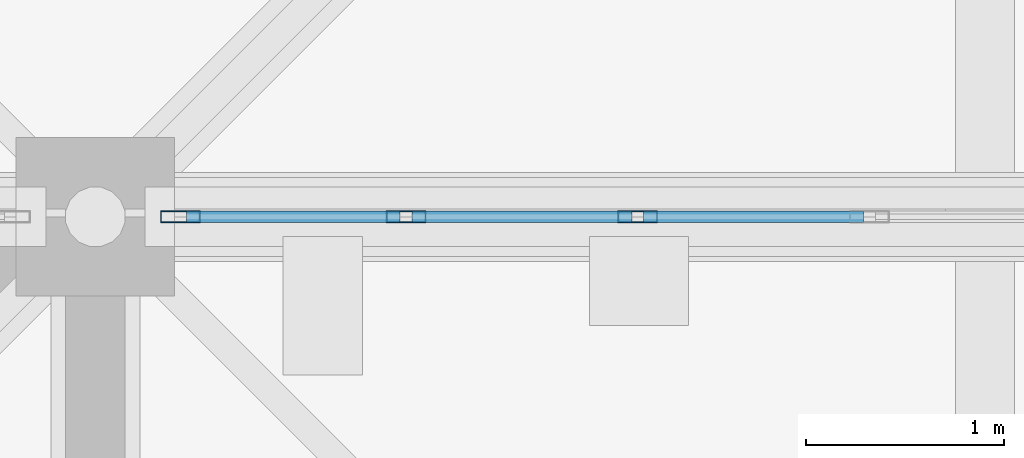
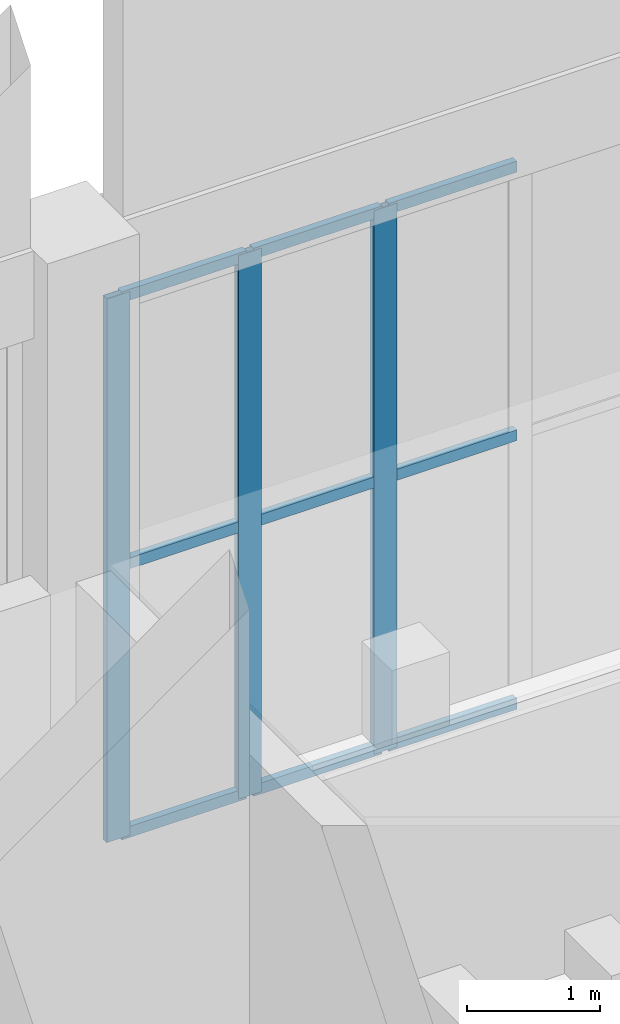
# One storey, part 109 of 437: 12 members, 1 element without a shape of its own.
"""IFC4 building model written with IfcOpenShell, lengths in metres."""

from ifc_helpers import new_model, si_unit, direction, frame, origin, origin_2d, place, context, subcontext, project, spatial, hollow_rectangle, extrude, material, layer, layer_set, material_profile, profile_set, type_object, element, aggregate, save


model = new_model("IFC4")

# Units and contexts
model_context = context("Model", 3, precision=1e-05, world=origin(), true_north=direction((0.0, 1.0)))
body_context = subcontext(model_context, "Body", "Model", "MODEL_VIEW")
ifc_project = project(units=[si_unit("LENGTHUNIT", "METRE"), si_unit("AREAUNIT", "SQUARE_METRE"), si_unit("VOLUMEUNIT", "CUBIC_METRE"), si_unit("PLANEANGLEUNIT", "RADIAN"), si_unit("MASSUNIT", "GRAM", prefix="KILO")], contexts=[model_context])

# Site, building, storey
site_placement = place(None, origin())
site = spatial("IfcSite", under=ifc_project, at=site_placement, CompositionType="ELEMENT")
building_placement = place(site_placement, origin())
building = spatial("IfcBuilding", under=site, at=building_placement, Name="Opaline Strait Convention Centre", CompositionType="ELEMENT")
storey_placement = place(building_placement, frame((0.0, 0.0, 11.5)))
storey = spatial("IfcBuildingStorey", under=building, at=storey_placement, Name="L02", CompositionType="ELEMENT", Elevation=11.5)

# Curtain wall, members
ifc_material_1 = material(Name="Aluminium framed double glazing", Category="aluminium")
ifc_layer = layer(ifc_material_1, 0.199951171875)
ifc_layer_set = layer_set([ifc_layer], Name="Aluminium framed double glazing")
curtain_wall_type = type_object("IfcCurtainWallType", Name="Curtain wall 1250", PredefinedType="NOTDEFINED", material=ifc_layer_set)
curtain_wall_placement = place(storey_placement, origin())
curtain_wall = element("IfcCurtainWall", 1, at=curtain_wall_placement, inside=storey, type_object=curtain_wall_type, Name="Curtain wall N-18-L02", PredefinedType="NOTDEFINED")
ifc_material_2 = material(Name="Aluminium alloy 6063", Category="aluminium")
ifc_material_profile_1 = material_profile(ifc_material_2, hollow_rectangle(XDim=0.06005859375, YDim=0.199951171875, WallThickness=0.00390625, at=origin_2d()), Name="MULLION 60x200x4")
ifc_profile_set_1 = profile_set([ifc_material_profile_1], Name="Aluminium alloy 6063")
member_type_1 = type_object("IfcMemberType", Name="Curtain wall mullion 60 x 200", PredefinedType="MULLION", material=ifc_profile_set_1)
member_1_placement = place(storey_placement, frame((18.429931640625, 180.0, -0.280029296875), z_axis=(0.0, 0.0, 1.0), x_axis=(0.0, 1.0, 0.0)))
member_1 = element("IfcMember", 2, at=member_1_placement, type_object=member_type_1, Name="PCW mullion 1", PredefinedType="MULLION", context=body_context, shape_type="SweptSolid", body=[
    extrude(hollow_rectangle(XDim=0.06005859375, YDim=0.199951171875, WallThickness=0.00390625, at=origin_2d()), origin(), (0.0, 0.0, 1.0), 4.97998046875),
])
member_2_placement = place(storey_placement, frame((19.5712890625, 180.0, -0.280029296875), z_axis=(0.0, 0.0, 1.0), x_axis=(0.0, 1.0, 0.0)))
member_2 = element("IfcMember", 3, at=member_2_placement, type_object=member_type_1, Name="PCW mullion 2", PredefinedType="MULLION", context=body_context, shape_type="SweptSolid", body=[
    extrude(hollow_rectangle(XDim=0.06005859375, YDim=0.199951171875, WallThickness=0.00390625, at=origin_2d()), origin(), (0.0, 0.0, 1.0), 4.97998046875),
])
member_3_placement = place(storey_placement, frame((20.742919921875, 180.0, -0.280029296875), z_axis=(0.0, 0.0, 1.0), x_axis=(0.0, 1.0, 0.0)))
member_3 = element("IfcMember", 4, at=member_3_placement, type_object=member_type_1, Name="PCW mullion 3", PredefinedType="MULLION", context=body_context, shape_type="SweptSolid", body=[
    extrude(hollow_rectangle(XDim=0.06005859375, YDim=0.199951171875, WallThickness=0.00390625, at=origin_2d()), origin(), (0.0, 0.0, 1.0), 4.97998046875),
])
ifc_material_profile_2 = material_profile(ifc_material_2, hollow_rectangle(XDim=0.06005859375, YDim=0.10009765625, WallThickness=0.0029296875, at=origin_2d()), Name="TRANSOM 60x100x3")
ifc_profile_set_2 = profile_set([ifc_material_profile_2], Name="Aluminium alloy 6063")
member_type_2 = type_object("IfcMemberType", Name="Curtain wall transom 60 x 100", PredefinedType="USERDEFINED", material=ifc_profile_set_2)
member_4_placement = place(storey_placement, frame((18.4599609375, 180.0, -0.25), z_axis=(1.0, 0.0, 0.0), x_axis=(0.0, 1.0, 0.0)))
member_4 = element("IfcMember", 5, at=member_4_placement, type_object=member_type_2, Name="PCW transom 1.1", ObjectType="TRANSOM", PredefinedType="USERDEFINED", context=body_context, shape_type="SweptSolid", body=[
    extrude(hollow_rectangle(XDim=0.06005859375, YDim=0.10009765625, WallThickness=0.0029296875, at=origin_2d()), origin(), (0.0, 0.0, 1.0), 1.081298828125),
])
member_5_placement = place(storey_placement, frame((18.4599609375, 180.0, 2.2099609375), z_axis=(1.0, 0.0, 0.0), x_axis=(0.0, 1.0, 0.0)))
member_5 = element("IfcMember", 6, at=member_5_placement, type_object=member_type_2, Name="PCW transom 1.2", ObjectType="TRANSOM", PredefinedType="USERDEFINED", context=body_context, shape_type="SweptSolid", body=[
    extrude(hollow_rectangle(XDim=0.06005859375, YDim=0.10009765625, WallThickness=0.0029296875, at=origin_2d()), origin(), (0.0, 0.0, 1.0), 1.081298828125),
])
member_6_placement = place(storey_placement, frame((18.4599609375, 180.0, 4.669921875), z_axis=(1.0, 0.0, 0.0), x_axis=(0.0, 1.0, 0.0)))
member_6 = element("IfcMember", 7, at=member_6_placement, type_object=member_type_2, Name="PCW transom 1.3", ObjectType="TRANSOM", PredefinedType="USERDEFINED", context=body_context, shape_type="SweptSolid", body=[
    extrude(hollow_rectangle(XDim=0.06005859375, YDim=0.10009765625, WallThickness=0.0029296875, at=origin_2d()), origin(), (0.0, 0.0, 1.0), 1.081298828125),
])
member_7_placement = place(storey_placement, frame((19.601318359375, 180.0, -0.25), z_axis=(1.0, 0.0, 0.0), x_axis=(0.0, 1.0, 0.0)))
member_7 = element("IfcMember", 8, at=member_7_placement, type_object=member_type_2, Name="PCW transom 2.1", ObjectType="TRANSOM", PredefinedType="USERDEFINED", context=body_context, shape_type="SweptSolid", body=[
    extrude(hollow_rectangle(XDim=0.06005859375, YDim=0.10009765625, WallThickness=0.0029296875, at=origin_2d()), origin(), (0.0, 0.0, 1.0), 1.111572265625),
])
member_8_placement = place(storey_placement, frame((19.601318359375, 180.0, 2.2099609375), z_axis=(1.0, 0.0, 0.0), x_axis=(0.0, 1.0, 0.0)))
member_8 = element("IfcMember", 9, at=member_8_placement, type_object=member_type_2, Name="PCW transom 2.2", ObjectType="TRANSOM", PredefinedType="USERDEFINED", context=body_context, shape_type="SweptSolid", body=[
    extrude(hollow_rectangle(XDim=0.06005859375, YDim=0.10009765625, WallThickness=0.0029296875, at=origin_2d()), origin(), (0.0, 0.0, 1.0), 1.111572265625),
])
member_9_placement = place(storey_placement, frame((19.601318359375, 180.0, 4.669921875), z_axis=(1.0, 0.0, 0.0), x_axis=(0.0, 1.0, 0.0)))
member_9 = element("IfcMember", 10, at=member_9_placement, type_object=member_type_2, Name="PCW transom 2.3", ObjectType="TRANSOM", PredefinedType="USERDEFINED", context=body_context, shape_type="SweptSolid", body=[
    extrude(hollow_rectangle(XDim=0.06005859375, YDim=0.10009765625, WallThickness=0.0029296875, at=origin_2d()), origin(), (0.0, 0.0, 1.0), 1.111572265625),
])
member_10_placement = place(storey_placement, frame((20.772705078125, 180.0, -0.25), z_axis=(1.0, 0.0, 0.0), x_axis=(0.0, 1.0, 0.0)))
member_10 = element("IfcMember", 11, at=member_10_placement, type_object=member_type_2, Name="PCW transom 3.1", ObjectType="TRANSOM", PredefinedType="USERDEFINED", context=body_context, shape_type="SweptSolid", body=[
    extrude(hollow_rectangle(XDim=0.06005859375, YDim=0.10009765625, WallThickness=0.0029296875, at=origin_2d()), origin(), (0.0, 0.0, 1.0), 1.111572265625),
])
member_11_placement = place(storey_placement, frame((20.772705078125, 180.0, 2.2099609375), z_axis=(1.0, 0.0, 0.0), x_axis=(0.0, 1.0, 0.0)))
member_11 = element("IfcMember", 12, at=member_11_placement, type_object=member_type_2, Name="PCW transom 3.2", ObjectType="TRANSOM", PredefinedType="USERDEFINED", context=body_context, shape_type="SweptSolid", body=[
    extrude(hollow_rectangle(XDim=0.06005859375, YDim=0.10009765625, WallThickness=0.0029296875, at=origin_2d()), origin(), (0.0, 0.0, 1.0), 1.111572265625),
])
member_12_placement = place(storey_placement, frame((20.772705078125, 180.0, 4.669921875), z_axis=(1.0, 0.0, 0.0), x_axis=(0.0, 1.0, 0.0)))
member_12 = element("IfcMember", 13, at=member_12_placement, type_object=member_type_2, Name="PCW transom 3.3", ObjectType="TRANSOM", PredefinedType="USERDEFINED", context=body_context, shape_type="SweptSolid", body=[
    extrude(hollow_rectangle(XDim=0.06005859375, YDim=0.10009765625, WallThickness=0.0029296875, at=origin_2d()), origin(), (0.0, 0.0, 1.0), 1.111572265625),
])
aggregate(curtain_wall, [member_1, member_2, member_3, member_4, member_5, member_6, member_7, member_8, member_9, member_10, member_11, member_12])

save(model, "model.ifc")
